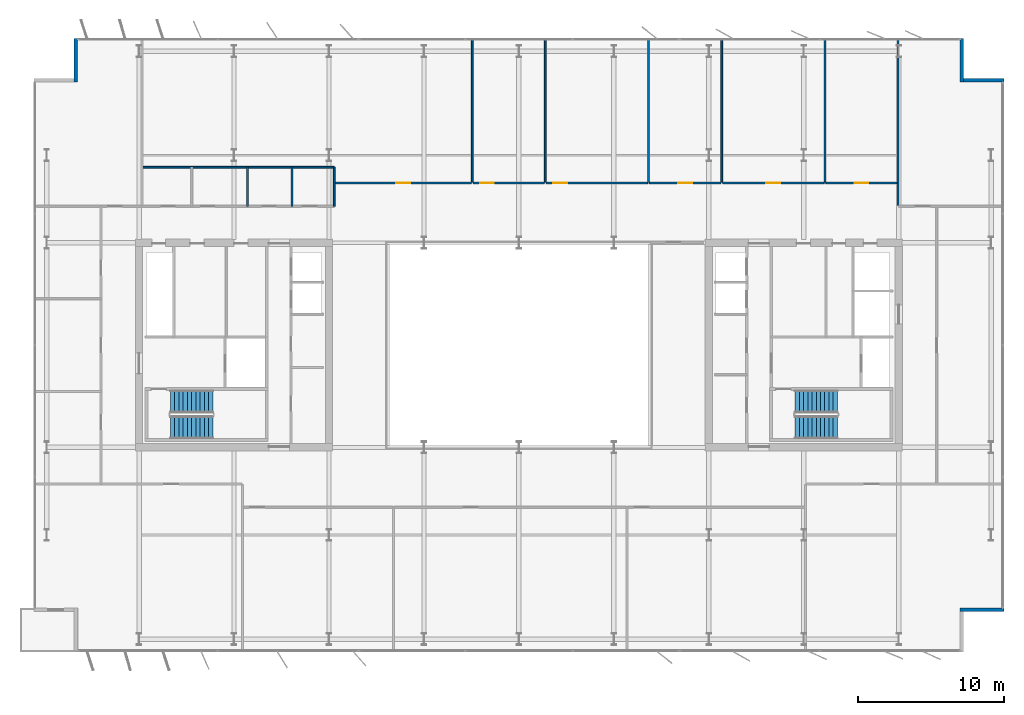
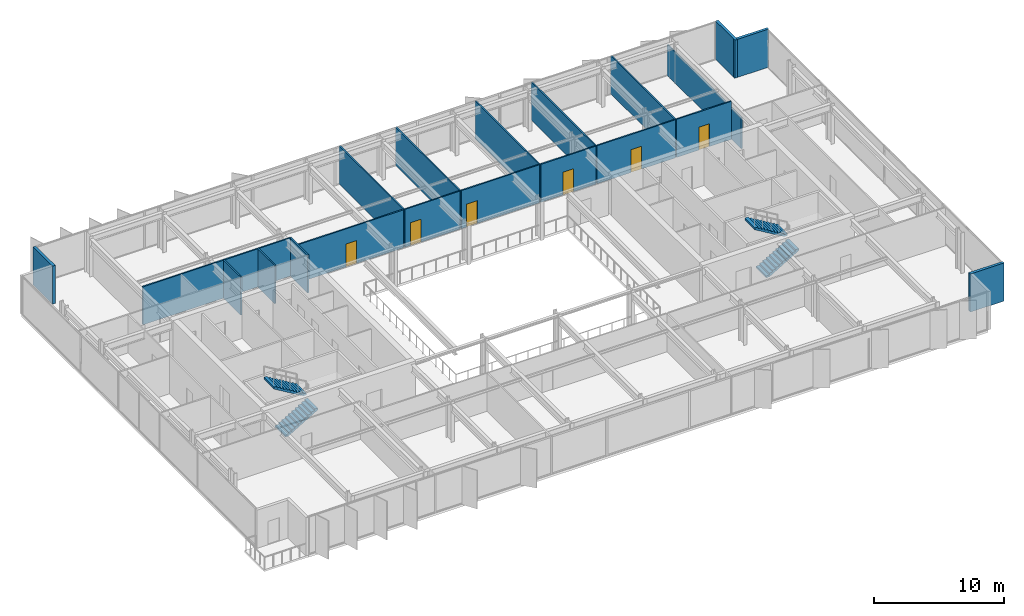
# One storey, part 19 of 23: 20 walls, 6 doors, 4 stair flights, 6 openings, 2 elements without a shape of their own.
"""IFC4 building model written with IfcOpenShell, lengths in metres."""

from ifc_helpers import new_model, si_unit, direction, frame, frame_2d, origin, place, context, subcontext, project, spatial, polyline, rectangle, outline, extrude, material, layer, layer_set, type_object, element, fill, aggregate, save


model = new_model("IFC4")

# Units and contexts
model_context = context("Model", 3, precision=1e-05, world=origin(), true_north=direction((0.0, 1.0)))
body_context = subcontext(model_context, "Body", "Model", "MODEL_VIEW")
ifc_project = project(units=[si_unit("LENGTHUNIT", "METRE"), si_unit("AREAUNIT", "SQUARE_METRE"), si_unit("VOLUMEUNIT", "CUBIC_METRE"), si_unit("PLANEANGLEUNIT", "RADIAN"), si_unit("MASSUNIT", "GRAM", prefix="KILO")], contexts=[model_context])

# Site, building, storey
site_placement = place(None, origin())
site = spatial("IfcSite", under=ifc_project, at=site_placement, CompositionType="ELEMENT")
building_placement = place(site_placement, origin())
building = spatial("IfcBuilding", under=site, at=building_placement, Name="Putna Gate Headquarters", CompositionType="ELEMENT")
storey_placement = place(building_placement, frame((0.0, 0.0, 229.0)))
storey = spatial("IfcBuildingStorey", under=building, at=storey_placement, Name="L57", CompositionType="ELEMENT", Elevation=229.0)

# Walls
ifc_material_1 = material(Name="Precast concrete C40/50", Category="concrete")
ifc_layer_1 = layer(ifc_material_1, 0.239990234375)
ifc_layer_set_1 = layer_set([ifc_layer_1], Name="Precast concrete C40/50")
wall_type_1 = type_object("IfcWallType", Name="WALL-EXT-TERR-240", PredefinedType="STANDARD", material=ifc_layer_set_1)
for number, where, z_axis, x_axis, name in (
    (1, (8.679931640625, 44.0, 0.0), (0.0, 0.0, 1.0), (0.0, 1.0, 0.0), "L57 Corner Notch Return Wall NW-V"),
    (2, (69.320068359375, 47.0, 0.0), (0.0, 0.0, 1.0), (0.0, -1.0, 0.0), "L57 Corner Notch Return Wall NE-V"),
    (3, (69.199951171875, 44.1201171875, 0.0), (0.0, 0.0, 1.0), (1.0, 0.0, 0.0), "L57 Corner Notch Return Wall NE-H"),
    (4, (72.199951171875, 7.8798828125, 0.0), (0.0, 0.0, 1.0), (-1.0, 0.0, 0.0), "L57 Corner Notch Return Wall SE-H"),
):
    element("IfcWall", number, at=place(storey_placement, frame(where, z_axis=z_axis, x_axis=x_axis)), inside=storey, type_object=wall_type_1, Name=name, PredefinedType="STANDARD", context=body_context, shape_type="SweptSolid", body=[
        extrude(rectangle(XDim=3.0, YDim=0.239990234375, at=frame_2d((1.5, 0.0))), origin(), (0.0, 0.0, 1.0), 3.580078125),
    ])
ifc_material_2 = material(Name="Acoustic gypsum board on metal stud")
ifc_layer_2 = layer(ifc_material_2, 0.1201171875)
ifc_layer_set_2 = layer_set([ifc_layer_2], Name="Acoustic gypsum board on metal stud")
wall_type_2 = type_object("IfcWallType", Name="WALL-PART-120", PredefinedType="PARTITIONING", material=ifc_layer_set_2)
for number, where, z_axis, x_axis, name in (
    (5, (35.800048828125, 37.159912109375, 0.0), (0.0, 0.0, 1.0), (0.0, 1.0, 0.0), "L57 Interior Wall PART-L57-NB-DIV-02"),
    (6, (40.805908203125, 37.159912109375, 0.0), (0.0, 0.0, 1.0), (0.0, 1.0, 0.0), "L57 Interior Wall PART-L57-NB-DIV-03"),
    (7, (47.873291015625, 37.159912109375, 0.0), (0.0, 0.0, 1.0), (0.0, 1.0, 0.0), "L57 Interior Wall PART-L57-NB-DIV-04"),
    (8, (52.87939453125, 37.159912109375, 0.0), (0.0, 0.0, 1.0), (0.0, 1.0, 0.0), "L57 Interior Wall PART-L57-NB-DIV-05"),
    (9, (59.94677734375, 37.159912109375, 0.0), (0.0, 0.0, 1.0), (0.0, 1.0, 0.0), "L57 Interior Wall PART-L57-NB-DIV-06"),
):
    element("IfcWall", number, at=place(storey_placement, frame(where, z_axis=z_axis, x_axis=x_axis)), inside=storey, type_object=wall_type_2, Name=name, PredefinedType="PARTITIONING", context=body_context, shape_type="SweptSolid", body=[
        extrude(rectangle(XDim=9.820068359375, YDim=0.1201171875, at=frame_2d((4.91015625, 0.0))), origin(), (0.0, 0.0, 1.0), 3.580078125),
    ])
wall_1_placement = place(storey_placement, frame((64.95263671875, 35.56005859375, 0.0), z_axis=(0.0, 0.0, 1.0), x_axis=(0.0, 1.0, 0.0)))
element("IfcWall", 10, at=wall_1_placement, inside=storey, type_object=wall_type_2, Name="L57 Interior Wall PART-L57-NB-DIV-07", PredefinedType="PARTITIONING", context=body_context, shape_type="SweptSolid", body=[
    extrude(rectangle(XDim=11.419921875, YDim=0.1201171875, at=frame_2d((5.7099609375, 0.0))), origin(), (0.0, 0.0, 1.0), 2.8798828125),
])
ifc_material_3 = material(Name="Fire-rated gypsum board on metal stud")
ifc_layer_3 = layer(ifc_material_3, 0.1201171875)
ifc_layer_set_3 = layer_set([ifc_layer_3], Name="Fire-rated gypsum board on metal stud")
wall_type_3 = type_object("IfcWallType", Name="WALL-PART-120-RATED", PredefinedType="PARTITIONING", material=ifc_layer_set_3)
wall_2_placement = place(storey_placement, frame((13.199951171875, 38.179931640625, 0.0), z_axis=(0.0, 0.0, 1.0), x_axis=(1.0, 0.0, 0.0)))
element("IfcWall", 11, at=wall_2_placement, inside=storey, type_object=wall_type_3, Name="L57 Interior Wall PART-L57-SAN-BACK", PredefinedType="PARTITIONING", context=body_context, shape_type="SweptSolid", body=[
    extrude(rectangle(XDim=13.16015625, YDim=0.1201171875, at=frame_2d((6.580078125, 0.0))), origin(), (0.0, 0.0, 1.0), 3.580078125),
])
for number, where, z_axis, x_axis, name in (
    (12, (20.419921875, 35.5, 0.0), (0.0, 0.0, 1.0), (0.0, 1.0, 0.0), "L57 Interior Wall PART-L57-SAN-DIV-2"),
    (13, (23.4599609375, 35.5, 0.0), (0.0, 0.0, 1.0), (0.0, 1.0, 0.0), "L57 Interior Wall PART-L57-SAN-DIV-3"),
    (14, (26.360107421875, 35.5, 0.0), (0.0, 0.0, 1.0), (0.0, 1.0, 0.0), "L57 Interior Wall PART-L57-SAN-DIV-4"),
):
    element("IfcWall", number, at=place(storey_placement, frame(where, z_axis=z_axis, x_axis=x_axis)), inside=storey, type_object=wall_type_3, Name=name, PredefinedType="PARTITIONING", context=body_context, shape_type="SweptSolid", body=[
        extrude(rectangle(XDim=2.679931640625, YDim=0.1201171875, at=frame_2d((1.33984375, 0.0))), origin(), (0.0, 0.0, 1.0), 3.580078125),
    ])

# Wall, opening, door
wall_3_placement = place(storey_placement, frame((26.419921875, 37.10009765625, 0.0), z_axis=(0.0, 0.0, 1.0), x_axis=(1.0, 0.0, 0.0)))
wall_3 = element("IfcWall", 15, at=wall_3_placement, inside=storey, type_object=wall_type_3, Name="L57 Interior Wall PART-L57-NB-CW-02", PredefinedType="PARTITIONING", context=body_context, shape_type="SweptSolid", body=[
    extrude(rectangle(XDim=9.320068359375, YDim=0.1201171875, at=frame_2d((4.66015625, 0.0))), origin(), (0.0, 0.0, 1.0), 3.580078125),
])
opening_1_placement = place(wall_3_placement, frame((4.18505859375, 0.0, 0.0)))
opening_1 = element("IfcOpeningElement", 16, at=opening_1_placement, cuts=wall_3, Name="Opening FD-95", PredefinedType="OPENING", context=body_context, shape_type="SweptSolid", body=[
    extrude(rectangle(XDim=0.949951171875, YDim=2.14990234375, at=frame_2d((0.47509765625, 1.074951171875))), frame((0.0, 0.070068359375, 0.0), z_axis=(0.0, -1.0, 0.0), x_axis=(1.0, 0.0, 0.0)), (0.0, 0.0, 1.0), 0.14013671875),
])
ifc_material_4 = material(Name="Acoustic timber fire door", Category="wood")
door_type = type_object("IfcDoorType", Name="DOOR-FIRE-950", OperationType="NOTDEFINED", PredefinedType="DOOR", material=ifc_material_4)
door_1_placement = place(opening_1_placement, origin())
door_1 = element("IfcDoor", 17, at=door_1_placement, inside=storey, type_object=door_type, Name="L57 Primary Open Office Workplace Door", OperationType="SINGLE_SWING_LEFT", OverallHeight=2.14990234375, OverallWidth=0.949951171875, PredefinedType="DOOR", context=body_context, shape_type="SweptSolid", body=[
    extrude(rectangle(XDim=0.949951171875, YDim=2.14990234375, at=frame_2d((0.47509765625, 1.074951171875))), frame((0.0, 0.02490234375, 0.0), z_axis=(0.0, -1.0, 0.0), x_axis=(1.0, 0.0, 0.0)), (0.0, 0.0, 1.0), 0.050048828125),
])
fill(opening_1, door_1)

wall_4_placement = place(storey_placement, frame((35.860107421875, 37.10009765625, 0.0), z_axis=(0.0, 0.0, 1.0), x_axis=(1.0, 0.0, 0.0)))
wall_4 = element("IfcWall", 18, at=wall_4_placement, inside=storey, type_object=wall_type_3, Name="L57 Interior Wall PART-L57-NB-CW-03", PredefinedType="PARTITIONING", context=body_context, shape_type="SweptSolid", body=[
    extrude(rectangle(XDim=4.885986328125, YDim=0.1201171875, at=frame_2d((2.44287109375, 0.0))), origin(), (0.0, 0.0, 1.0), 3.580078125),
])
opening_2_placement = place(wall_4_placement, frame((0.47998046875, 0.0, 0.0)))
opening_2 = element("IfcOpeningElement", 19, at=opening_2_placement, cuts=wall_4, Name="Opening FD-95", PredefinedType="OPENING", context=body_context, shape_type="SweptSolid", body=[
    extrude(rectangle(XDim=0.949951171875, YDim=2.14990234375, at=frame_2d((0.47509765625, 1.074951171875))), frame((0.0, 0.070068359375, 0.0), z_axis=(0.0, -1.0, 0.0), x_axis=(1.0, 0.0, 0.0)), (0.0, 0.0, 1.0), 0.14013671875),
])
door_2_placement = place(opening_2_placement, origin())
door_2 = element("IfcDoor", 20, at=door_2_placement, inside=storey, type_object=door_type, Name="L57 Conference Meeting Room 3 Door", OperationType="SINGLE_SWING_RIGHT", OverallHeight=2.14990234375, OverallWidth=0.949951171875, PredefinedType="DOOR", context=body_context, shape_type="SweptSolid", body=[
    extrude(rectangle(XDim=0.949951171875, YDim=2.14990234375, at=frame_2d((0.47509765625, 1.074951171875))), frame((0.0, 0.02490234375, 0.0), z_axis=(0.0, -1.0, 0.0), x_axis=(1.0, 0.0, 0.0)), (0.0, 0.0, 1.0), 0.050048828125),
])
fill(opening_2, door_2)

wall_5_placement = place(storey_placement, frame((40.865966796875, 37.10009765625, 0.0), z_axis=(0.0, 0.0, 1.0), x_axis=(1.0, 0.0, 0.0)))
wall_5 = element("IfcWall", 21, at=wall_5_placement, inside=storey, type_object=wall_type_3, Name="L57 Interior Wall PART-L57-NB-CW-04", PredefinedType="PARTITIONING", context=body_context, shape_type="SweptSolid", body=[
    extrude(rectangle(XDim=6.947265625, YDim=0.1201171875, at=frame_2d((3.4736328125, 0.0))), origin(), (0.0, 0.0, 1.0), 3.580078125),
])
opening_3_placement = place(wall_5_placement, frame((0.47998046875, 0.0, 0.0)))
opening_3 = element("IfcOpeningElement", 22, at=opening_3_placement, cuts=wall_5, Name="Opening FD-95", PredefinedType="OPENING", context=body_context, shape_type="SweptSolid", body=[
    extrude(rectangle(XDim=0.949951171875, YDim=2.14990234375, at=frame_2d((0.47509765625, 1.074951171875))), frame((0.0, 0.070068359375, 0.0), z_axis=(0.0, -1.0, 0.0), x_axis=(1.0, 0.0, 0.0)), (0.0, 0.0, 1.0), 0.14013671875),
])
door_3_placement = place(opening_3_placement, origin())
door_3 = element("IfcDoor", 23, at=door_3_placement, inside=storey, type_object=door_type, Name="L57 Conference Meeting Room 4 Door", OperationType="SINGLE_SWING_LEFT", OverallHeight=2.14990234375, OverallWidth=0.949951171875, PredefinedType="DOOR", context=body_context, shape_type="SweptSolid", body=[
    extrude(rectangle(XDim=0.949951171875, YDim=2.14990234375, at=frame_2d((0.47509765625, 1.074951171875))), frame((0.0, 0.02490234375, 0.0), z_axis=(0.0, -1.0, 0.0), x_axis=(1.0, 0.0, 0.0)), (0.0, 0.0, 1.0), 0.050048828125),
])
fill(opening_3, door_3)

wall_6_placement = place(storey_placement, frame((47.933349609375, 37.10009765625, 0.0), z_axis=(0.0, 0.0, 1.0), x_axis=(1.0, 0.0, 0.0)))
wall_6 = element("IfcWall", 24, at=wall_6_placement, inside=storey, type_object=wall_type_3, Name="L57 Interior Wall PART-L57-NB-CW-05", PredefinedType="PARTITIONING", context=body_context, shape_type="SweptSolid", body=[
    extrude(rectangle(XDim=4.885986328125, YDim=0.1201171875, at=frame_2d((2.44287109375, 0.0))), origin(), (0.0, 0.0, 1.0), 3.580078125),
])
opening_4_placement = place(wall_6_placement, frame((1.968017578125, 0.0, 0.0)))
opening_4 = element("IfcOpeningElement", 25, at=opening_4_placement, cuts=wall_6, Name="Opening FD-95", PredefinedType="OPENING", context=body_context, shape_type="SweptSolid", body=[
    extrude(rectangle(XDim=0.949951171875, YDim=2.14990234375, at=frame_2d((0.47509765625, 1.074951171875))), frame((0.0, 0.070068359375, 0.0), z_axis=(0.0, -1.0, 0.0), x_axis=(1.0, 0.0, 0.0)), (0.0, 0.0, 1.0), 0.14013671875),
])
door_4_placement = place(opening_4_placement, origin())
door_4 = element("IfcDoor", 26, at=door_4_placement, inside=storey, type_object=door_type, Name="L57 Conference Meeting Room 5 Door", OperationType="SINGLE_SWING_RIGHT", OverallHeight=2.14990234375, OverallWidth=0.949951171875, PredefinedType="DOOR", context=body_context, shape_type="SweptSolid", body=[
    extrude(rectangle(XDim=0.949951171875, YDim=2.14990234375, at=frame_2d((0.47509765625, 1.074951171875))), frame((0.0, 0.02490234375, 0.0), z_axis=(0.0, -1.0, 0.0), x_axis=(1.0, 0.0, 0.0)), (0.0, 0.0, 1.0), 0.050048828125),
])
fill(opening_4, door_4)

wall_7_placement = place(storey_placement, frame((52.939208984375, 37.10009765625, 0.0), z_axis=(0.0, 0.0, 1.0), x_axis=(1.0, 0.0, 0.0)))
wall_7 = element("IfcWall", 27, at=wall_7_placement, inside=storey, type_object=wall_type_3, Name="L57 Interior Wall PART-L57-NB-CW-06", PredefinedType="PARTITIONING", context=body_context, shape_type="SweptSolid", body=[
    extrude(rectangle(XDim=6.947509765625, YDim=0.1201171875, at=frame_2d((3.4736328125, 0.0))), origin(), (0.0, 0.0, 1.0), 3.580078125),
])
opening_5_placement = place(wall_7_placement, frame((2.998779296875, 0.0, 0.0)))
opening_5 = element("IfcOpeningElement", 28, at=opening_5_placement, cuts=wall_7, Name="Opening FD-95", PredefinedType="OPENING", context=body_context, shape_type="SweptSolid", body=[
    extrude(rectangle(XDim=0.949951171875, YDim=2.14990234375, at=frame_2d((0.47509765625, 1.074951171875))), frame((0.0, 0.070068359375, 0.0), z_axis=(0.0, -1.0, 0.0), x_axis=(1.0, 0.0, 0.0)), (0.0, 0.0, 1.0), 0.14013671875),
])
door_5_placement = place(opening_5_placement, origin())
door_5 = element("IfcDoor", 29, at=door_5_placement, inside=storey, type_object=door_type, Name="L57 Collaborative Breakout Lounge 1 Door", OperationType="SINGLE_SWING_LEFT", OverallHeight=2.14990234375, OverallWidth=0.949951171875, PredefinedType="DOOR", context=body_context, shape_type="SweptSolid", body=[
    extrude(rectangle(XDim=0.949951171875, YDim=2.14990234375, at=frame_2d((0.47509765625, 1.074951171875))), frame((0.0, 0.02490234375, 0.0), z_axis=(0.0, -1.0, 0.0), x_axis=(1.0, 0.0, 0.0)), (0.0, 0.0, 1.0), 0.050048828125),
])
fill(opening_5, door_5)

wall_8_placement = place(storey_placement, frame((60.006591796875, 37.10009765625, 0.0), z_axis=(0.0, 0.0, 1.0), x_axis=(1.0, 0.0, 0.0)))
wall_8 = element("IfcWall", 30, at=wall_8_placement, inside=storey, type_object=wall_type_3, Name="L57 Interior Wall PART-L57-NB-CW-07", PredefinedType="PARTITIONING", context=body_context, shape_type="SweptSolid", body=[
    extrude(rectangle(XDim=4.885986328125, YDim=0.1201171875, at=frame_2d((2.44287109375, 0.0))), origin(), (0.0, 0.0, 1.0), 3.580078125),
])
opening_6_placement = place(wall_8_placement, frame((1.968017578125, 0.0, 0.0)))
opening_6 = element("IfcOpeningElement", 31, at=opening_6_placement, cuts=wall_8, Name="Opening FD-95", PredefinedType="OPENING", context=body_context, shape_type="SweptSolid", body=[
    extrude(rectangle(XDim=0.949951171875, YDim=2.14990234375, at=frame_2d((0.47509765625, 1.074951171875))), frame((0.0, 0.070068359375, 0.0), z_axis=(0.0, -1.0, 0.0), x_axis=(1.0, 0.0, 0.0)), (0.0, 0.0, 1.0), 0.14013671875),
])
door_6_placement = place(opening_6_placement, origin())
door_6 = element("IfcDoor", 32, at=door_6_placement, inside=storey, type_object=door_type, Name="L57 Quiet Wellness Focus Studio 1 Door", OperationType="SINGLE_SWING_RIGHT", OverallHeight=2.14990234375, OverallWidth=0.949951171875, PredefinedType="DOOR", context=body_context, shape_type="SweptSolid", body=[
    extrude(rectangle(XDim=0.949951171875, YDim=2.14990234375, at=frame_2d((0.47509765625, 1.074951171875))), frame((0.0, 0.02490234375, 0.0), z_axis=(0.0, -1.0, 0.0), x_axis=(1.0, 0.0, 0.0)), (0.0, 0.0, 1.0), 0.050048828125),
])
fill(opening_6, door_6)

# Stair, stair flights
ifc_material_5 = material(Name="Concrete C40/50", Category="concrete")
stair_type_1 = type_object("IfcStairType", Name="STAIR-ST1", PredefinedType="HALF_TURN_STAIR", material=ifc_material_5)
stair_1_placement = place(storey_placement, origin())
stair_1 = element("IfcStair", 33, at=stair_1_placement, inside=storey, type_object=stair_type_1, Name="L57 West Core Exit Stair ST1", PredefinedType="HALF_TURN_STAIR")
stair_flight_type_1 = type_object("IfcStairFlightType", Name="FLIGHT-ST1", PredefinedType="STRAIGHT", material=ifc_material_5)
stair_flight_1_placement = place(storey_placement, frame((15.14990234375, 20.375, 0.0), z_axis=(0.0, 0.0, 1.0), x_axis=(1.0, 0.0, 0.0)))
stair_flight_1 = element("IfcStairFlight", 34, at=stair_flight_1_placement, type_object=stair_flight_type_1, Name="ST1 flight 1", NumberOfRisers=11, NumberOfTreads=10, PredefinedType="STRAIGHT", RiserHeight=0.172727273, TreadLength=0.29, context=body_context, shape_type="SweptSolid", body=[
    extrude(outline(polyline([(0.0, 0.0), (0.0, 0.172607421875), (0.2900390625, 0.172607421875), (0.2900390625, 0.345458984375), (0.580078125, 0.345458984375), (0.580078125, 0.51806640625), (0.8701171875, 0.51806640625), (0.8701171875, 0.69091796875), (1.159912109375, 0.69091796875), (1.159912109375, 0.863525390625), (1.449951171875, 0.863525390625), (1.449951171875, 1.036376953125), (1.739990234375, 1.036376953125), (1.739990234375, 1.208984375), (2.030029296875, 1.208984375), (2.030029296875, 1.3818359375), (2.320068359375, 1.3818359375), (2.320068359375, 1.554443359375), (2.610107421875, 1.554443359375), (2.610107421875, 1.727294921875), (2.89990234375, 1.727294921875), (2.89990234375, 1.89990234375), (2.89990234375, 1.552734375), (0.29296875, 0.0), (0.0, 0.0)])), frame((0.0, 0.77490234375, 0.0), z_axis=(0.0, -1.0, 0.0), x_axis=(1.0, 0.0, 0.0)), (0.0, 0.0, 1.0), 1.550048828125),
])
stair_flight_2_placement = place(storey_placement, frame((18.050048828125, 22.125, 1.89990234375), z_axis=(0.0, 0.0, 1.0), x_axis=(-1.0, 0.0, 0.0)))
stair_flight_2 = element("IfcStairFlight", 35, at=stair_flight_2_placement, type_object=stair_flight_type_1, Name="ST1 flight 2", NumberOfRisers=11, NumberOfTreads=10, PredefinedType="STRAIGHT", RiserHeight=0.172727273, TreadLength=0.29, context=body_context, shape_type="SweptSolid", body=[
    extrude(outline(polyline([(0.0, 0.0), (0.0, 0.172607421875), (0.2900390625, 0.172607421875), (0.2900390625, 0.345458984375), (0.580078125, 0.345458984375), (0.580078125, 0.51806640625), (0.8701171875, 0.51806640625), (0.8701171875, 0.69091796875), (1.159912109375, 0.69091796875), (1.159912109375, 0.863525390625), (1.449951171875, 0.863525390625), (1.449951171875, 1.036376953125), (1.739990234375, 1.036376953125), (1.739990234375, 1.208984375), (2.030029296875, 1.208984375), (2.030029296875, 1.3818359375), (2.320068359375, 1.3818359375), (2.320068359375, 1.554443359375), (2.610107421875, 1.554443359375), (2.610107421875, 1.727294921875), (2.89990234375, 1.727294921875), (2.89990234375, 1.89990234375), (2.89990234375, 1.552734375), (0.29296875, 0.0), (0.0, 0.0)])), frame((0.0, 0.77490234375, 0.0), z_axis=(0.0, -1.0, 0.0), x_axis=(1.0, 0.0, 0.0)), (0.0, 0.0, 1.0), 1.550048828125),
])
aggregate(stair_1, [stair_flight_1, stair_flight_2])

stair_type_2 = type_object("IfcStairType", Name="STAIR-ST2", PredefinedType="HALF_TURN_STAIR", material=ifc_material_5)
stair_2_placement = place(storey_placement, origin())
stair_2 = element("IfcStair", 36, at=stair_2_placement, inside=storey, type_object=stair_type_2, Name="L57 East Core Exit Stair ST2", PredefinedType="HALF_TURN_STAIR")
stair_flight_type_2 = type_object("IfcStairFlightType", Name="FLIGHT-ST2", PredefinedType="STRAIGHT", material=ifc_material_5)
stair_flight_3_placement = place(storey_placement, frame((57.89990234375, 20.375, 0.0), z_axis=(0.0, 0.0, 1.0), x_axis=(1.0, 0.0, 0.0)))
stair_flight_3 = element("IfcStairFlight", 37, at=stair_flight_3_placement, type_object=stair_flight_type_2, Name="ST2 flight 1", NumberOfRisers=11, NumberOfTreads=10, PredefinedType="STRAIGHT", RiserHeight=0.172727273, TreadLength=0.29, context=body_context, shape_type="SweptSolid", body=[
    extrude(outline(polyline([(0.0, 0.0), (0.0, 0.172607421875), (0.2900390625, 0.172607421875), (0.2900390625, 0.345458984375), (0.580078125, 0.345458984375), (0.580078125, 0.51806640625), (0.8701171875, 0.51806640625), (0.8701171875, 0.69091796875), (1.159912109375, 0.69091796875), (1.159912109375, 0.863525390625), (1.449951171875, 0.863525390625), (1.449951171875, 1.036376953125), (1.739990234375, 1.036376953125), (1.739990234375, 1.208984375), (2.030029296875, 1.208984375), (2.030029296875, 1.3818359375), (2.320068359375, 1.3818359375), (2.320068359375, 1.554443359375), (2.610107421875, 1.554443359375), (2.610107421875, 1.727294921875), (2.89990234375, 1.727294921875), (2.89990234375, 1.89990234375), (2.89990234375, 1.552734375), (0.29296875, 0.0), (0.0, 0.0)])), frame((0.0, 0.77490234375, 0.0), z_axis=(0.0, -1.0, 0.0), x_axis=(1.0, 0.0, 0.0)), (0.0, 0.0, 1.0), 1.550048828125),
])
stair_flight_4_placement = place(storey_placement, frame((60.800048828125, 22.125, 1.89990234375), z_axis=(0.0, 0.0, 1.0), x_axis=(-1.0, 0.0, 0.0)))
stair_flight_4 = element("IfcStairFlight", 38, at=stair_flight_4_placement, type_object=stair_flight_type_2, Name="ST2 flight 2", NumberOfRisers=11, NumberOfTreads=10, PredefinedType="STRAIGHT", RiserHeight=0.172727273, TreadLength=0.29, context=body_context, shape_type="SweptSolid", body=[
    extrude(outline(polyline([(0.0, 0.0), (0.0, 0.172607421875), (0.2900390625, 0.172607421875), (0.2900390625, 0.345458984375), (0.580078125, 0.345458984375), (0.580078125, 0.51806640625), (0.8701171875, 0.51806640625), (0.8701171875, 0.69091796875), (1.159912109375, 0.69091796875), (1.159912109375, 0.863525390625), (1.449951171875, 0.863525390625), (1.449951171875, 1.036376953125), (1.739990234375, 1.036376953125), (1.739990234375, 1.208984375), (2.030029296875, 1.208984375), (2.030029296875, 1.3818359375), (2.320068359375, 1.3818359375), (2.320068359375, 1.554443359375), (2.610107421875, 1.554443359375), (2.610107421875, 1.727294921875), (2.89990234375, 1.727294921875), (2.89990234375, 1.89990234375), (2.89990234375, 1.552734375), (0.29296875, 0.0), (0.0, 0.0)])), frame((0.0, 0.77490234375, 0.0), z_axis=(0.0, -1.0, 0.0), x_axis=(1.0, 0.0, 0.0)), (0.0, 0.0, 1.0), 1.550048828125),
])
aggregate(stair_2, [stair_flight_3, stair_flight_4])

save(model, "model.ifc")
